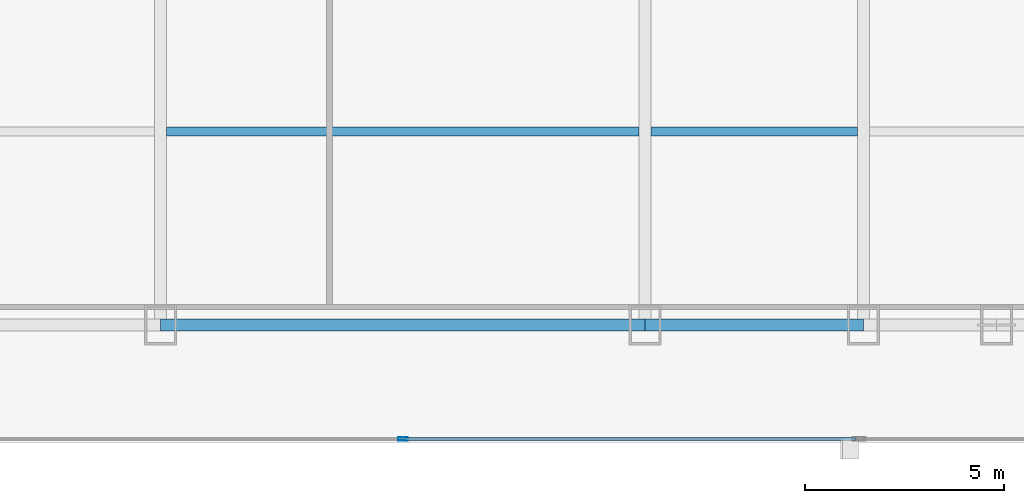
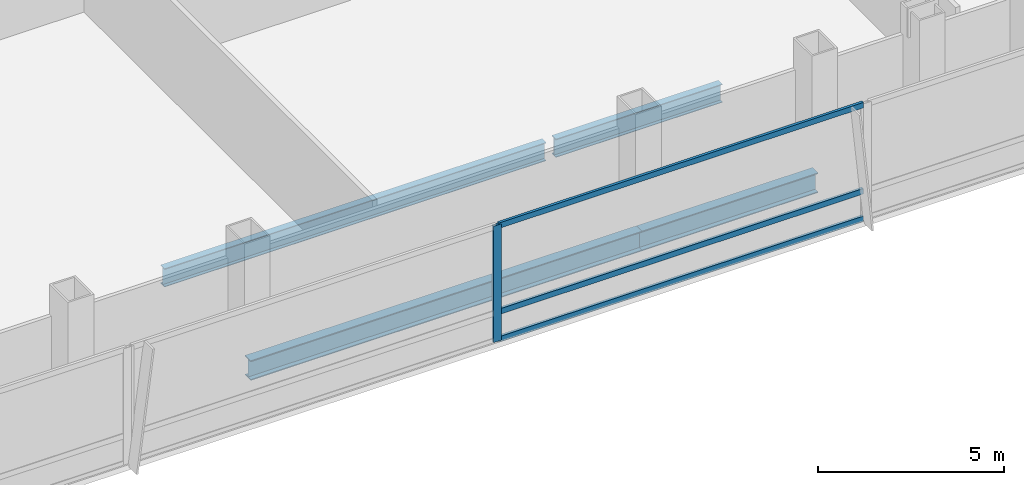
# One storey, part 12 of 36: 4 beams, 4 members, 1 element without a shape of its own.
"""IFC4 building model written with IfcOpenShell, lengths in metres."""

from ifc_helpers import new_model, si_unit, direction, frame, origin, origin_2d, place, context, subcontext, project, spatial, hollow_rectangle, i_section, extrude, material, material_profile, profile_set, type_object, element, aggregate, save


model = new_model("IFC4")

# Units and contexts
model_context = context("Model", 3, precision=1e-05, world=origin(), true_north=direction((0.0, 1.0)))
body_context = subcontext(model_context, "Body", "Model", "MODEL_VIEW")
ifc_project = project(units=[si_unit("LENGTHUNIT", "METRE"), si_unit("AREAUNIT", "SQUARE_METRE"), si_unit("VOLUMEUNIT", "CUBIC_METRE"), si_unit("PLANEANGLEUNIT", "RADIAN"), si_unit("MASSUNIT", "GRAM", prefix="KILO")], contexts=[model_context])

# Site, building, storey
site_placement = place(None, origin())
site = spatial("IfcSite", under=ifc_project, at=site_placement, CompositionType="ELEMENT")
building_placement = place(site_placement, origin())
building = spatial("IfcBuilding", under=site, at=building_placement, Name="Khoronbel Lancet Exchange", CompositionType="ELEMENT")
storey_placement = place(building_placement, frame((0.0, 0.0, 57.800048828125)))
storey = spatial("IfcBuildingStorey", under=building, at=storey_placement, Name="L13", CompositionType="ELEMENT", Elevation=57.800048828125)

# Beams
ifc_material_1 = material(Name="Steel S355", Category="steel")
ifc_material_profile_1 = material_profile(ifc_material_1, i_section(OverallWidth=0.219970703125, OverallDepth=0.60009765625, WebThickness=0.011962890625, FlangeThickness=0.01904296875, at=origin_2d()), Name="IPE 600")
ifc_profile_set_1 = profile_set([ifc_material_profile_1], Name="Steel S355")
beam_type_1 = type_object("IfcBeamType", Name="BM-BJ1", PredefinedType="JOIST", material=ifc_profile_set_1)
beam_1_placement = place(storey_placement, frame((30.52490234375, 15.0, -0.47998046875), z_axis=(1.0, 0.0, 0.0), x_axis=(0.0, 1.0, 0.0)))
element("IfcBeam", 1, at=beam_1_placement, inside=storey, type_object=beam_type_1, Name="Level L13 secondary composite joist J03", PredefinedType="JOIST", context=body_context, shape_type="SweptSolid", body=[
    extrude(i_section(OverallWidth=0.219970703125, OverallDepth=0.60009765625, WebThickness=0.011962890625, FlangeThickness=0.01904296875, at=origin_2d()), origin(), (0.0, 0.0, 1.0), 11.85009765625),
])
beam_2_placement = place(storey_placement, frame((42.675048828125, 15.0, -0.47998046875), z_axis=(1.0, 0.0, 0.0), x_axis=(0.0, 1.0, 0.0)))
element("IfcBeam", 2, at=beam_2_placement, inside=storey, type_object=beam_type_1, Name="Level L13 secondary composite joist J04", PredefinedType="JOIST", context=body_context, shape_type="SweptSolid", body=[
    extrude(i_section(OverallWidth=0.219970703125, OverallDepth=0.60009765625, WebThickness=0.011962890625, FlangeThickness=0.01904296875, at=origin_2d()), origin(), (0.0, 0.0, 1.0), 5.175048828125),
])
ifc_material_profile_2 = material_profile(ifc_material_1, i_section(OverallWidth=0.300048828125, OverallDepth=0.64990234375, WebThickness=0.01611328125, FlangeThickness=0.031005859375, at=origin_2d()), Name="HEB 650")
ifc_profile_set_2 = profile_set([ifc_material_profile_2], Name="Steel S355")
beam_type_2 = type_object("IfcBeamType", Name="BM-BSP1", PredefinedType="SPANDREL", material=ifc_profile_set_2)
beam_3_placement = place(storey_placement, frame((30.375, 10.14990234375, -0.505126953125), z_axis=(1.0, 0.0, 0.0), x_axis=(0.0, 1.0, 0.0)))
element("IfcBeam", 3, at=beam_3_placement, inside=storey, type_object=beam_type_2, Name="Level L13 perimeter spandrel beam SP05", PredefinedType="SPANDREL", context=body_context, shape_type="SweptSolid", body=[
    extrude(i_section(OverallWidth=0.300048828125, OverallDepth=0.64990234375, WebThickness=0.01611328125, FlangeThickness=0.031005859375, at=origin_2d()), origin(), (0.0, 0.0, 1.0), 12.14990234375),
])
beam_4_placement = place(storey_placement, frame((42.52490234375, 10.14990234375, -0.505126953125), z_axis=(1.0, 0.0, 0.0), x_axis=(0.0, 1.0, 0.0)))
element("IfcBeam", 4, at=beam_4_placement, inside=storey, type_object=beam_type_2, Name="Level L13 perimeter spandrel beam SP06", PredefinedType="SPANDREL", context=body_context, shape_type="SweptSolid", body=[
    extrude(i_section(OverallWidth=0.300048828125, OverallDepth=0.64990234375, WebThickness=0.01611328125, FlangeThickness=0.031005859375, at=origin_2d()), origin(), (0.0, 0.0, 1.0), 5.47509765625),
])

# Curtain wall, members
ifc_material_2 = material(Name="Low-E Solar Control Insulating Glass", Category="glass")
curtain_wall_type = type_object("IfcCurtainWallType", Name="CW-1", PredefinedType="NOTDEFINED", material=ifc_material_2)
curtain_wall_placement = place(storey_placement, origin())
curtain_wall = element("IfcCurtainWall", 5, at=curtain_wall_placement, inside=storey, type_object=curtain_wall_type, Name="Unitised curtain wall CW-L13-SCV", PredefinedType="NOTDEFINED")
ifc_material_3 = material(Name="Bronze-Anodised Aluminium 6063-T6", Category="aluminium")
ifc_material_profile_3 = material_profile(ifc_material_3, hollow_rectangle(XDim=0.0849609375, YDim=0.239990234375, WallThickness=0.006103515625, at=origin_2d()), Name="ALU MULLION 85x240")
ifc_profile_set_3 = profile_set([ifc_material_profile_3], Name="Bronze-Anodised Aluminium 6063-T6")
member_type_1 = type_object("IfcMemberType", Name="MEM-CWM1", PredefinedType="MULLION", material=ifc_profile_set_3)
member_1_placement = place(storey_placement, frame((36.449951171875, 7.2900390625, 0.0), z_axis=(0.0, 0.0, 1.0), x_axis=(0.0, 1.0, 0.0)))
member_1 = element("IfcMember", 6, at=member_1_placement, type_object=member_type_1, Name="CW1 mullion 2", PredefinedType="MULLION", context=body_context, shape_type="SweptSolid", body=[
    extrude(hollow_rectangle(XDim=0.0849609375, YDim=0.239990234375, WallThickness=0.006103515625, at=origin_2d()), origin(), (0.0, 0.0, 1.0), 3.820068359375),
])
ifc_material_profile_4 = material_profile(ifc_material_3, hollow_rectangle(XDim=0.0849609375, YDim=0.179931640625, WallThickness=0.0048828125, at=origin_2d()), Name="ALU TRANSOM 85x180")
ifc_profile_set_4 = profile_set([ifc_material_profile_4], Name="Bronze-Anodised Aluminium 6063-T6")
member_type_2 = type_object("IfcMemberType", Name="MEM-CWT1", PredefinedType="USERDEFINED", material=ifc_profile_set_4)
member_2_placement = place(storey_placement, frame((36.492431640625, 7.2900390625, 0.04248046875), z_axis=(1.0, 0.0, 0.0), x_axis=(0.0, 1.0, 0.0)))
member_2 = element("IfcMember", 7, at=member_2_placement, type_object=member_type_2, Name="CW1 transom 2.1", ObjectType="TRANSOM", PredefinedType="USERDEFINED", context=body_context, shape_type="SweptSolid", body=[
    extrude(hollow_rectangle(XDim=0.0849609375, YDim=0.179931640625, WallThickness=0.0048828125, at=origin_2d()), origin(), (0.0, 0.0, 1.0), 11.322509765625),
])
member_3_placement = place(storey_placement, frame((36.492431640625, 7.2900390625, 0.949951171875), z_axis=(1.0, 0.0, 0.0), x_axis=(0.0, 1.0, 0.0)))
member_3 = element("IfcMember", 8, at=member_3_placement, type_object=member_type_2, Name="CW1 transom 2.2", ObjectType="TRANSOM", PredefinedType="USERDEFINED", context=body_context, shape_type="SweptSolid", body=[
    extrude(hollow_rectangle(XDim=0.0849609375, YDim=0.179931640625, WallThickness=0.0048828125, at=origin_2d()), origin(), (0.0, 0.0, 1.0), 11.322509765625),
])
member_4_placement = place(storey_placement, frame((36.492431640625, 7.2900390625, 3.77734375), z_axis=(1.0, 0.0, 0.0), x_axis=(0.0, 1.0, 0.0)))
member_4 = element("IfcMember", 9, at=member_4_placement, type_object=member_type_2, Name="CW1 transom 2.3", ObjectType="TRANSOM", PredefinedType="USERDEFINED", context=body_context, shape_type="SweptSolid", body=[
    extrude(hollow_rectangle(XDim=0.0849609375, YDim=0.179931640625, WallThickness=0.0048828125, at=origin_2d()), origin(), (0.0, 0.0, 1.0), 11.322509765625),
])
aggregate(curtain_wall, [member_1, member_2, member_3, member_4])

save(model, "model.ifc")
